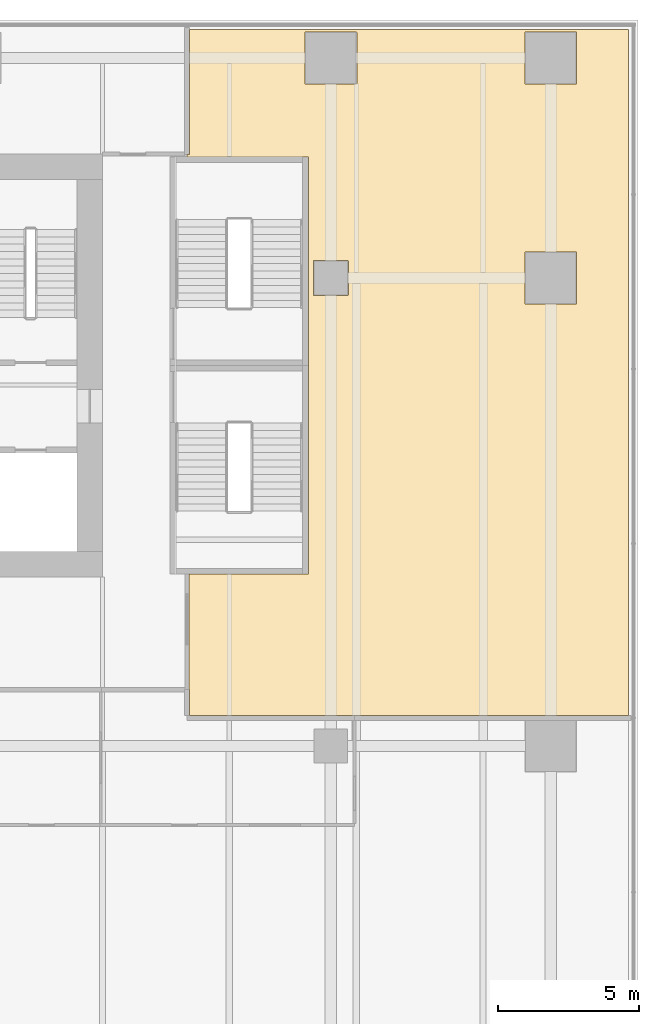
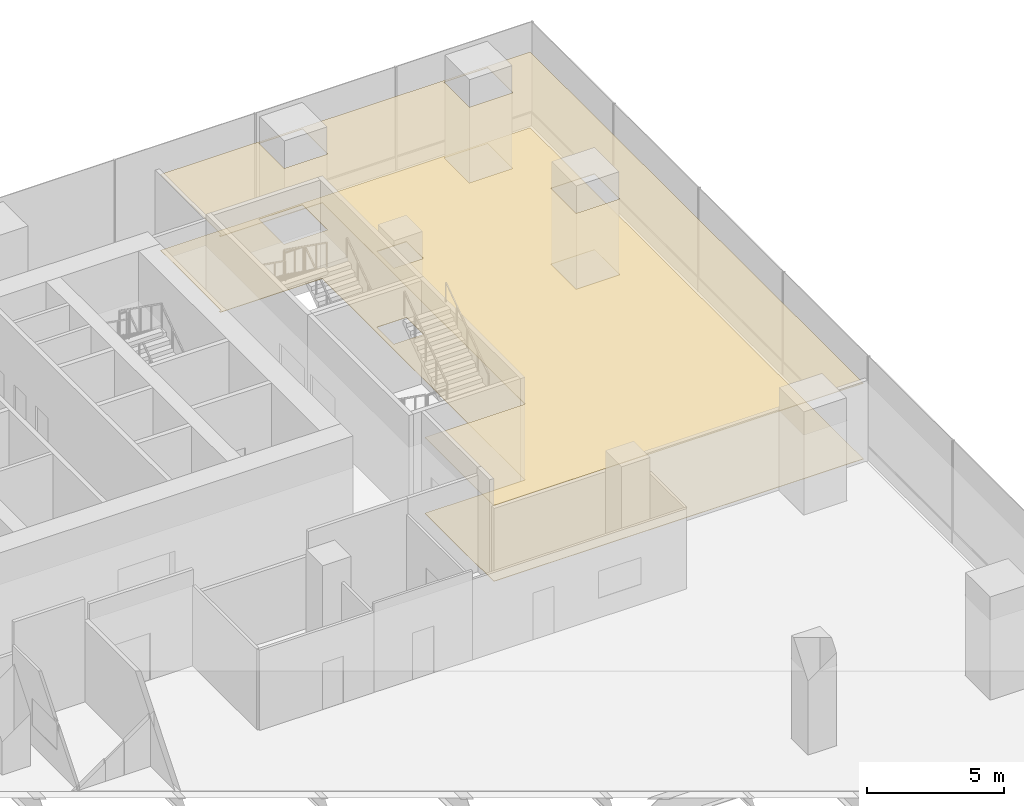
# One storey, part 29 of 29: 2 coverings.
"""IFC4 building model written with IfcOpenShell, lengths in metres."""

from ifc_helpers import new_model, si_unit, direction, frame, origin, place, context, subcontext, project, spatial, polyline, outline, extrude, material, layer, layer_set, type_object, element, save


model = new_model("IFC4")

# Units and contexts
model_context = context("Model", 3, precision=1e-05, world=origin(), true_north=direction((0.0, 1.0)))
body_context = subcontext(model_context, "Body", "Model", "MODEL_VIEW")
ifc_project = project(units=[si_unit("LENGTHUNIT", "METRE"), si_unit("AREAUNIT", "SQUARE_METRE"), si_unit("VOLUMEUNIT", "CUBIC_METRE"), si_unit("PLANEANGLEUNIT", "RADIAN"), si_unit("MASSUNIT", "GRAM", prefix="KILO")], contexts=[model_context])

# Site, building, storey
site_placement = place(None, origin())
site = spatial("IfcSite", under=ifc_project, at=site_placement, CompositionType="ELEMENT")
building_placement = place(site_placement, origin())
building = spatial("IfcBuilding", under=site, at=building_placement, Name="Rattan Terrace Tower", CompositionType="ELEMENT")
storey_placement = place(building_placement, frame((0.0, 0.0, 12.60009765625)))
storey = spatial("IfcBuildingStorey", under=building, at=storey_placement, Name="L02", CompositionType="ELEMENT", Elevation=12.60009765625)

# Coverings
ifc_material_1 = material(Name="Polished limestone", Category="masonry")
ifc_layer_1 = layer(ifc_material_1, 0.02001953125)
ifc_layer_set_1 = layer_set([ifc_layer_1], Name="Lobby Floor Finish Stone 20")
covering_type_1 = type_object("IfcCoveringType", Name="Lobby Floor Finish Stone 20", PredefinedType="FLOORING", material=ifc_layer_set_1)
covering_1_placement = place(storey_placement, origin())
element("IfcCovering", 1, at=covering_1_placement, inside=storey, type_object=covering_type_1, Name="Floor finish L02-123", PredefinedType="FLOORING", context=body_context, shape_type="SweptSolid", body=[
    extrude(outline(polyline([(25.300048828125, 7.39990234375), (25.300048828125, -7.39990234375), (21.074951171875, -7.39990234375), (21.074951171875, -11.5), (21.090087890625, -11.5), (21.090087890625, -12.409912109375), (36.659912109375, -12.409912109375), (36.659912109375, 11.909912109375), (21.090087890625, 11.909912109375), (21.090087890625, 7.47998046875), (21.0, 7.47998046875), (21.0, 7.425048828125), (21.0, 7.39990234375), (25.300048828125, 7.39990234375)]), holes=[polyline([(34.80810546875, 9.98095703125), (34.81005859375, 9.98193359375), (34.81103515625, 9.98291015625), (34.81298828125, 9.98388671875), (34.81396484375, 9.986083984375), (34.81591796875, 9.987060546875), (34.81689453125, 9.989013671875), (34.818115234375, 9.989990234375), (34.819091796875, 9.991943359375), (34.819091796875, 9.993896484375), (34.820068359375, 9.99609375), (34.820068359375, 9.998046875), (34.820068359375, 10.0), (34.820068359375, 11.800048828125), (34.820068359375, 11.802001953125), (34.820068359375, 11.803955078125), (34.819091796875, 11.805908203125), (34.819091796875, 11.80810546875), (34.818115234375, 11.81005859375), (34.81689453125, 11.81103515625), (34.81591796875, 11.81298828125), (34.81396484375, 11.81396484375), (34.81298828125, 11.81591796875), (34.81103515625, 11.81689453125), (34.81005859375, 11.818115234375), (34.80810546875, 11.819091796875), (34.805908203125, 11.819091796875), (34.803955078125, 11.820068359375), (34.802001953125, 11.820068359375), (34.800048828125, 11.820068359375), (33.0, 11.820068359375), (32.998046875, 11.820068359375), (32.99609375, 11.820068359375), (32.993896484375, 11.819091796875), (32.991943359375, 11.819091796875), (32.989990234375, 11.818115234375), (32.989013671875, 11.81689453125), (32.987060546875, 11.81591796875), (32.986083984375, 11.81396484375), (32.98388671875, 11.81298828125), (32.98291015625, 11.81103515625), (32.98193359375, 11.81005859375), (32.98095703125, 11.80810546875), (32.98095703125, 11.805908203125), (32.97998046875, 11.803955078125), (32.97998046875, 11.802001953125), (32.97998046875, 11.800048828125), (32.97998046875, 10.0), (32.97998046875, 9.998046875), (32.97998046875, 9.99609375), (32.98095703125, 9.993896484375), (32.98095703125, 9.991943359375), (32.98193359375, 9.989990234375), (32.98291015625, 9.989013671875), (32.98388671875, 9.987060546875), (32.986083984375, 9.986083984375), (32.987060546875, 9.98388671875), (32.989013671875, 9.98291015625), (32.989990234375, 9.98193359375), (32.991943359375, 9.98095703125), (32.993896484375, 9.98095703125), (32.99609375, 9.97998046875), (32.998046875, 9.97998046875), (33.0, 9.97998046875), (34.800048828125, 9.97998046875), (34.802001953125, 9.97998046875), (34.803955078125, 9.97998046875), (34.805908203125, 9.98095703125), (34.80810546875, 9.98095703125)]), polyline([(32.98193359375, 4.010009765625), (32.98095703125, 4.008056640625), (32.98095703125, 4.006103515625), (32.97998046875, 4.00390625), (32.97998046875, 4.001953125), (32.97998046875, 4.0), (32.97998046875, 2.199951171875), (32.97998046875, 2.197998046875), (32.97998046875, 2.196044921875), (32.98095703125, 2.194091796875), (32.98095703125, 2.19189453125), (32.98193359375, 2.18994140625), (32.98291015625, 2.18896484375), (32.98388671875, 2.18701171875), (32.986083984375, 2.18603515625), (32.987060546875, 2.18408203125), (32.989013671875, 2.18310546875), (32.989990234375, 2.181884765625), (32.991943359375, 2.180908203125), (32.993896484375, 2.180908203125), (32.99609375, 2.179931640625), (32.998046875, 2.179931640625), (33.0, 2.179931640625), (34.800048828125, 2.179931640625), (34.802001953125, 2.179931640625), (34.803955078125, 2.179931640625), (34.805908203125, 2.180908203125), (34.80810546875, 2.180908203125), (34.81005859375, 2.181884765625), (34.81103515625, 2.18310546875), (34.81298828125, 2.18408203125), (34.81396484375, 2.18603515625), (34.81591796875, 2.18701171875), (34.81689453125, 2.18896484375), (34.818115234375, 2.18994140625), (34.819091796875, 2.19189453125), (34.819091796875, 2.194091796875), (34.820068359375, 2.196044921875), (34.820068359375, 2.197998046875), (34.820068359375, 2.199951171875), (34.820068359375, 4.0), (34.820068359375, 4.001953125), (34.820068359375, 4.00390625), (34.819091796875, 4.006103515625), (34.819091796875, 4.008056640625), (34.818115234375, 4.010009765625), (34.81689453125, 4.010986328125), (34.81591796875, 4.012939453125), (34.81396484375, 4.013916015625), (34.81298828125, 4.01611328125), (34.81103515625, 4.01708984375), (34.81005859375, 4.01806640625), (34.80810546875, 4.01904296875), (34.805908203125, 4.01904296875), (34.803955078125, 4.02001953125), (34.802001953125, 4.02001953125), (34.800048828125, 4.02001953125), (33.0, 4.02001953125), (32.998046875, 4.02001953125), (32.99609375, 4.02001953125), (32.993896484375, 4.01904296875), (32.991943359375, 4.01904296875), (32.989990234375, 4.01806640625), (32.989013671875, 4.01708984375), (32.987060546875, 4.01611328125), (32.986083984375, 4.013916015625), (32.98388671875, 4.012939453125), (32.98291015625, 4.010986328125), (32.98193359375, 4.010009765625)]), polyline([(27.010009765625, 11.818115234375), (27.008056640625, 11.819091796875), (27.006103515625, 11.819091796875), (27.00390625, 11.820068359375), (27.001953125, 11.820068359375), (27.0, 11.820068359375), (25.199951171875, 11.820068359375), (25.197998046875, 11.820068359375), (25.196044921875, 11.820068359375), (25.194091796875, 11.819091796875), (25.19189453125, 11.819091796875), (25.18994140625, 11.818115234375), (25.18896484375, 11.81689453125), (25.18701171875, 11.81591796875), (25.18603515625, 11.81396484375), (25.18408203125, 11.81298828125), (25.18310546875, 11.81103515625), (25.181884765625, 11.81005859375), (25.180908203125, 11.80810546875), (25.180908203125, 11.805908203125), (25.179931640625, 11.803955078125), (25.179931640625, 11.802001953125), (25.179931640625, 11.800048828125), (25.179931640625, 10.0), (25.179931640625, 9.998046875), (25.179931640625, 9.99609375), (25.180908203125, 9.993896484375), (25.180908203125, 9.991943359375), (25.181884765625, 9.989990234375), (25.18310546875, 9.989013671875), (25.18408203125, 9.987060546875), (25.18603515625, 9.986083984375), (25.18701171875, 9.98388671875), (25.18896484375, 9.98291015625), (25.18994140625, 9.98193359375), (25.19189453125, 9.98095703125), (25.194091796875, 9.98095703125), (25.196044921875, 9.97998046875), (25.197998046875, 9.97998046875), (25.199951171875, 9.97998046875), (27.0, 9.97998046875), (27.001953125, 9.97998046875), (27.00390625, 9.97998046875), (27.006103515625, 9.98095703125), (27.008056640625, 9.98095703125), (27.010009765625, 9.98193359375), (27.010986328125, 9.98291015625), (27.012939453125, 9.98388671875), (27.013916015625, 9.986083984375), (27.01611328125, 9.987060546875), (27.01708984375, 9.989013671875), (27.01806640625, 9.989990234375), (27.01904296875, 9.991943359375), (27.01904296875, 9.993896484375), (27.02001953125, 9.99609375), (27.02001953125, 9.998046875), (27.02001953125, 10.0), (27.02001953125, 11.800048828125), (27.02001953125, 11.802001953125), (27.02001953125, 11.803955078125), (27.01904296875, 11.805908203125), (27.01904296875, 11.80810546875), (27.01806640625, 11.81005859375), (27.01708984375, 11.81103515625), (27.01611328125, 11.81298828125), (27.013916015625, 11.81396484375), (27.012939453125, 11.81591796875), (27.010986328125, 11.81689453125), (27.010009765625, 11.818115234375)]), polyline([(25.49609375, 3.719970703125), (25.493896484375, 3.718994140625), (25.491943359375, 3.718994140625), (25.489990234375, 3.718017578125), (25.489013671875, 3.717041015625), (25.487060546875, 3.716064453125), (25.486083984375, 3.714111328125), (25.48388671875, 3.712890625), (25.48291015625, 3.7109375), (25.48193359375, 3.7099609375), (25.48095703125, 3.7080078125), (25.48095703125, 3.7060546875), (25.47998046875, 3.7041015625), (25.47998046875, 3.701904296875), (25.47998046875, 3.699951171875), (25.47998046875, 2.5), (25.47998046875, 2.498046875), (25.47998046875, 2.49609375), (25.48095703125, 2.493896484375), (25.48095703125, 2.491943359375), (25.48193359375, 2.489990234375), (25.48291015625, 2.489013671875), (25.48388671875, 2.487060546875), (25.486083984375, 2.486083984375), (25.487060546875, 2.48388671875), (25.489013671875, 2.48291015625), (25.489990234375, 2.48193359375), (25.491943359375, 2.48095703125), (25.493896484375, 2.48095703125), (25.49609375, 2.47998046875), (25.498046875, 2.47998046875), (25.5, 2.47998046875), (26.699951171875, 2.47998046875), (26.701904296875, 2.47998046875), (26.7041015625, 2.47998046875), (26.7060546875, 2.48095703125), (26.7080078125, 2.48095703125), (26.7099609375, 2.48193359375), (26.7109375, 2.48291015625), (26.712890625, 2.48388671875), (26.714111328125, 2.486083984375), (26.716064453125, 2.487060546875), (26.717041015625, 2.489013671875), (26.718017578125, 2.489990234375), (26.718994140625, 2.491943359375), (26.718994140625, 2.493896484375), (26.719970703125, 2.49609375), (26.719970703125, 2.498046875), (26.719970703125, 2.5), (26.719970703125, 3.699951171875), (26.719970703125, 3.701904296875), (26.719970703125, 3.7041015625), (26.718994140625, 3.7060546875), (26.718994140625, 3.7080078125), (26.718017578125, 3.7099609375), (26.717041015625, 3.7109375), (26.716064453125, 3.712890625), (26.714111328125, 3.714111328125), (26.712890625, 3.716064453125), (26.7109375, 3.717041015625), (26.7099609375, 3.718017578125), (26.7080078125, 3.718994140625), (26.7060546875, 3.718994140625), (26.7041015625, 3.719970703125), (26.701904296875, 3.719970703125), (26.699951171875, 3.719970703125), (25.5, 3.719970703125), (25.498046875, 3.719970703125), (25.49609375, 3.719970703125)])]), origin(), (0.0, 0.0, 1.0), 0.02001953125),
])
ifc_material_2 = material(Name="Gypsum board, painted")
ifc_layer_2 = layer(ifc_material_2, 0.02490234375)
ifc_layer_set_2 = layer_set([ifc_layer_2], Name="Suspended Ceiling Gypsum 25")
covering_type_2 = type_object("IfcCoveringType", Name="Suspended Ceiling Gypsum 25", PredefinedType="CEILING", material=ifc_layer_set_2)
covering_2_placement = place(storey_placement, frame((0.0, 0.0, 3.375)))
element("IfcCovering", 2, at=covering_2_placement, inside=storey, type_object=covering_type_2, Name="Ceiling L02-123", PredefinedType="CEILING", context=body_context, shape_type="SweptSolid", body=[
    extrude(outline(polyline([(25.300048828125, 7.39990234375), (25.300048828125, -7.39990234375), (21.074951171875, -7.39990234375), (21.074951171875, -11.5), (21.090087890625, -11.5), (21.090087890625, -12.409912109375), (36.659912109375, -12.409912109375), (36.659912109375, 11.909912109375), (21.090087890625, 11.909912109375), (21.090087890625, 7.47998046875), (21.0, 7.47998046875), (21.0, 7.425048828125), (21.0, 7.39990234375), (25.300048828125, 7.39990234375)]), holes=[polyline([(34.80810546875, 9.98095703125), (34.81005859375, 9.98193359375), (34.81103515625, 9.98291015625), (34.81298828125, 9.98388671875), (34.81396484375, 9.986083984375), (34.81591796875, 9.987060546875), (34.81689453125, 9.989013671875), (34.818115234375, 9.989990234375), (34.819091796875, 9.991943359375), (34.819091796875, 9.993896484375), (34.820068359375, 9.99609375), (34.820068359375, 9.998046875), (34.820068359375, 10.0), (34.820068359375, 11.800048828125), (34.820068359375, 11.802001953125), (34.820068359375, 11.803955078125), (34.819091796875, 11.805908203125), (34.819091796875, 11.80810546875), (34.818115234375, 11.81005859375), (34.81689453125, 11.81103515625), (34.81591796875, 11.81298828125), (34.81396484375, 11.81396484375), (34.81298828125, 11.81591796875), (34.81103515625, 11.81689453125), (34.81005859375, 11.818115234375), (34.80810546875, 11.819091796875), (34.805908203125, 11.819091796875), (34.803955078125, 11.820068359375), (34.802001953125, 11.820068359375), (34.800048828125, 11.820068359375), (33.0, 11.820068359375), (32.998046875, 11.820068359375), (32.99609375, 11.820068359375), (32.993896484375, 11.819091796875), (32.991943359375, 11.819091796875), (32.989990234375, 11.818115234375), (32.989013671875, 11.81689453125), (32.987060546875, 11.81591796875), (32.986083984375, 11.81396484375), (32.98388671875, 11.81298828125), (32.98291015625, 11.81103515625), (32.98193359375, 11.81005859375), (32.98095703125, 11.80810546875), (32.98095703125, 11.805908203125), (32.97998046875, 11.803955078125), (32.97998046875, 11.802001953125), (32.97998046875, 11.800048828125), (32.97998046875, 10.0), (32.97998046875, 9.998046875), (32.97998046875, 9.99609375), (32.98095703125, 9.993896484375), (32.98095703125, 9.991943359375), (32.98193359375, 9.989990234375), (32.98291015625, 9.989013671875), (32.98388671875, 9.987060546875), (32.986083984375, 9.986083984375), (32.987060546875, 9.98388671875), (32.989013671875, 9.98291015625), (32.989990234375, 9.98193359375), (32.991943359375, 9.98095703125), (32.993896484375, 9.98095703125), (32.99609375, 9.97998046875), (32.998046875, 9.97998046875), (33.0, 9.97998046875), (34.800048828125, 9.97998046875), (34.802001953125, 9.97998046875), (34.803955078125, 9.97998046875), (34.805908203125, 9.98095703125), (34.80810546875, 9.98095703125)]), polyline([(32.98193359375, 4.010009765625), (32.98095703125, 4.008056640625), (32.98095703125, 4.006103515625), (32.97998046875, 4.00390625), (32.97998046875, 4.001953125), (32.97998046875, 4.0), (32.97998046875, 2.199951171875), (32.97998046875, 2.197998046875), (32.97998046875, 2.196044921875), (32.98095703125, 2.194091796875), (32.98095703125, 2.19189453125), (32.98193359375, 2.18994140625), (32.98291015625, 2.18896484375), (32.98388671875, 2.18701171875), (32.986083984375, 2.18603515625), (32.987060546875, 2.18408203125), (32.989013671875, 2.18310546875), (32.989990234375, 2.181884765625), (32.991943359375, 2.180908203125), (32.993896484375, 2.180908203125), (32.99609375, 2.179931640625), (32.998046875, 2.179931640625), (33.0, 2.179931640625), (34.800048828125, 2.179931640625), (34.802001953125, 2.179931640625), (34.803955078125, 2.179931640625), (34.805908203125, 2.180908203125), (34.80810546875, 2.180908203125), (34.81005859375, 2.181884765625), (34.81103515625, 2.18310546875), (34.81298828125, 2.18408203125), (34.81396484375, 2.18603515625), (34.81591796875, 2.18701171875), (34.81689453125, 2.18896484375), (34.818115234375, 2.18994140625), (34.819091796875, 2.19189453125), (34.819091796875, 2.194091796875), (34.820068359375, 2.196044921875), (34.820068359375, 2.197998046875), (34.820068359375, 2.199951171875), (34.820068359375, 4.0), (34.820068359375, 4.001953125), (34.820068359375, 4.00390625), (34.819091796875, 4.006103515625), (34.819091796875, 4.008056640625), (34.818115234375, 4.010009765625), (34.81689453125, 4.010986328125), (34.81591796875, 4.012939453125), (34.81396484375, 4.013916015625), (34.81298828125, 4.01611328125), (34.81103515625, 4.01708984375), (34.81005859375, 4.01806640625), (34.80810546875, 4.01904296875), (34.805908203125, 4.01904296875), (34.803955078125, 4.02001953125), (34.802001953125, 4.02001953125), (34.800048828125, 4.02001953125), (33.0, 4.02001953125), (32.998046875, 4.02001953125), (32.99609375, 4.02001953125), (32.993896484375, 4.01904296875), (32.991943359375, 4.01904296875), (32.989990234375, 4.01806640625), (32.989013671875, 4.01708984375), (32.987060546875, 4.01611328125), (32.986083984375, 4.013916015625), (32.98388671875, 4.012939453125), (32.98291015625, 4.010986328125), (32.98193359375, 4.010009765625)]), polyline([(27.010009765625, 11.818115234375), (27.008056640625, 11.819091796875), (27.006103515625, 11.819091796875), (27.00390625, 11.820068359375), (27.001953125, 11.820068359375), (27.0, 11.820068359375), (25.199951171875, 11.820068359375), (25.197998046875, 11.820068359375), (25.196044921875, 11.820068359375), (25.194091796875, 11.819091796875), (25.19189453125, 11.819091796875), (25.18994140625, 11.818115234375), (25.18896484375, 11.81689453125), (25.18701171875, 11.81591796875), (25.18603515625, 11.81396484375), (25.18408203125, 11.81298828125), (25.18310546875, 11.81103515625), (25.181884765625, 11.81005859375), (25.180908203125, 11.80810546875), (25.180908203125, 11.805908203125), (25.179931640625, 11.803955078125), (25.179931640625, 11.802001953125), (25.179931640625, 11.800048828125), (25.179931640625, 10.0), (25.179931640625, 9.998046875), (25.179931640625, 9.99609375), (25.180908203125, 9.993896484375), (25.180908203125, 9.991943359375), (25.181884765625, 9.989990234375), (25.18310546875, 9.989013671875), (25.18408203125, 9.987060546875), (25.18603515625, 9.986083984375), (25.18701171875, 9.98388671875), (25.18896484375, 9.98291015625), (25.18994140625, 9.98193359375), (25.19189453125, 9.98095703125), (25.194091796875, 9.98095703125), (25.196044921875, 9.97998046875), (25.197998046875, 9.97998046875), (25.199951171875, 9.97998046875), (27.0, 9.97998046875), (27.001953125, 9.97998046875), (27.00390625, 9.97998046875), (27.006103515625, 9.98095703125), (27.008056640625, 9.98095703125), (27.010009765625, 9.98193359375), (27.010986328125, 9.98291015625), (27.012939453125, 9.98388671875), (27.013916015625, 9.986083984375), (27.01611328125, 9.987060546875), (27.01708984375, 9.989013671875), (27.01806640625, 9.989990234375), (27.01904296875, 9.991943359375), (27.01904296875, 9.993896484375), (27.02001953125, 9.99609375), (27.02001953125, 9.998046875), (27.02001953125, 10.0), (27.02001953125, 11.800048828125), (27.02001953125, 11.802001953125), (27.02001953125, 11.803955078125), (27.01904296875, 11.805908203125), (27.01904296875, 11.80810546875), (27.01806640625, 11.81005859375), (27.01708984375, 11.81103515625), (27.01611328125, 11.81298828125), (27.013916015625, 11.81396484375), (27.012939453125, 11.81591796875), (27.010986328125, 11.81689453125), (27.010009765625, 11.818115234375)]), polyline([(25.49609375, 3.719970703125), (25.493896484375, 3.718994140625), (25.491943359375, 3.718994140625), (25.489990234375, 3.718017578125), (25.489013671875, 3.717041015625), (25.487060546875, 3.716064453125), (25.486083984375, 3.714111328125), (25.48388671875, 3.712890625), (25.48291015625, 3.7109375), (25.48193359375, 3.7099609375), (25.48095703125, 3.7080078125), (25.48095703125, 3.7060546875), (25.47998046875, 3.7041015625), (25.47998046875, 3.701904296875), (25.47998046875, 3.699951171875), (25.47998046875, 2.5), (25.47998046875, 2.498046875), (25.47998046875, 2.49609375), (25.48095703125, 2.493896484375), (25.48095703125, 2.491943359375), (25.48193359375, 2.489990234375), (25.48291015625, 2.489013671875), (25.48388671875, 2.487060546875), (25.486083984375, 2.486083984375), (25.487060546875, 2.48388671875), (25.489013671875, 2.48291015625), (25.489990234375, 2.48193359375), (25.491943359375, 2.48095703125), (25.493896484375, 2.48095703125), (25.49609375, 2.47998046875), (25.498046875, 2.47998046875), (25.5, 2.47998046875), (26.699951171875, 2.47998046875), (26.701904296875, 2.47998046875), (26.7041015625, 2.47998046875), (26.7060546875, 2.48095703125), (26.7080078125, 2.48095703125), (26.7099609375, 2.48193359375), (26.7109375, 2.48291015625), (26.712890625, 2.48388671875), (26.714111328125, 2.486083984375), (26.716064453125, 2.487060546875), (26.717041015625, 2.489013671875), (26.718017578125, 2.489990234375), (26.718994140625, 2.491943359375), (26.718994140625, 2.493896484375), (26.719970703125, 2.49609375), (26.719970703125, 2.498046875), (26.719970703125, 2.5), (26.719970703125, 3.699951171875), (26.719970703125, 3.701904296875), (26.719970703125, 3.7041015625), (26.718994140625, 3.7060546875), (26.718994140625, 3.7080078125), (26.718017578125, 3.7099609375), (26.717041015625, 3.7109375), (26.716064453125, 3.712890625), (26.714111328125, 3.714111328125), (26.712890625, 3.716064453125), (26.7109375, 3.717041015625), (26.7099609375, 3.718017578125), (26.7080078125, 3.718994140625), (26.7060546875, 3.718994140625), (26.7041015625, 3.719970703125), (26.701904296875, 3.719970703125), (26.699951171875, 3.719970703125), (25.5, 3.719970703125), (25.498046875, 3.719970703125), (25.49609375, 3.719970703125)])]), origin(), (0.0, 0.0, 1.0), 0.02490234375),
])

save(model, "model.ifc")
